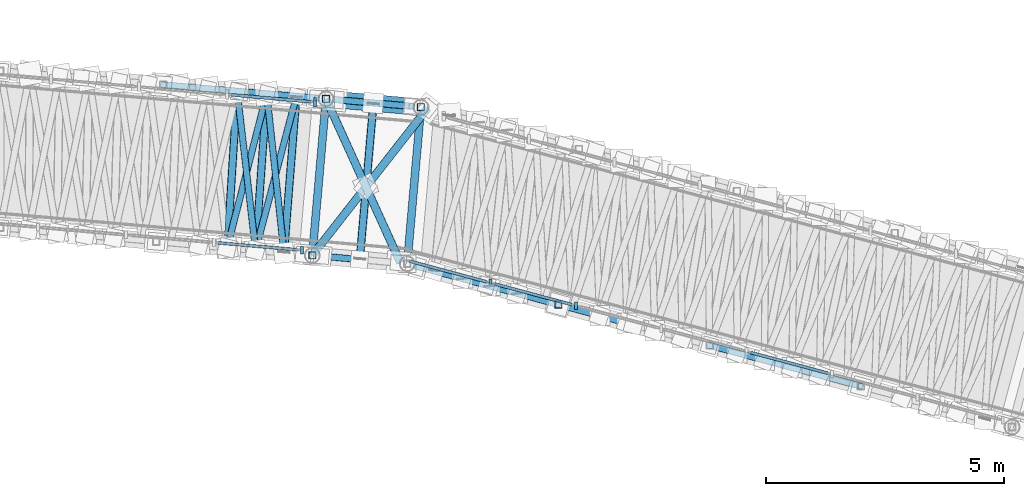
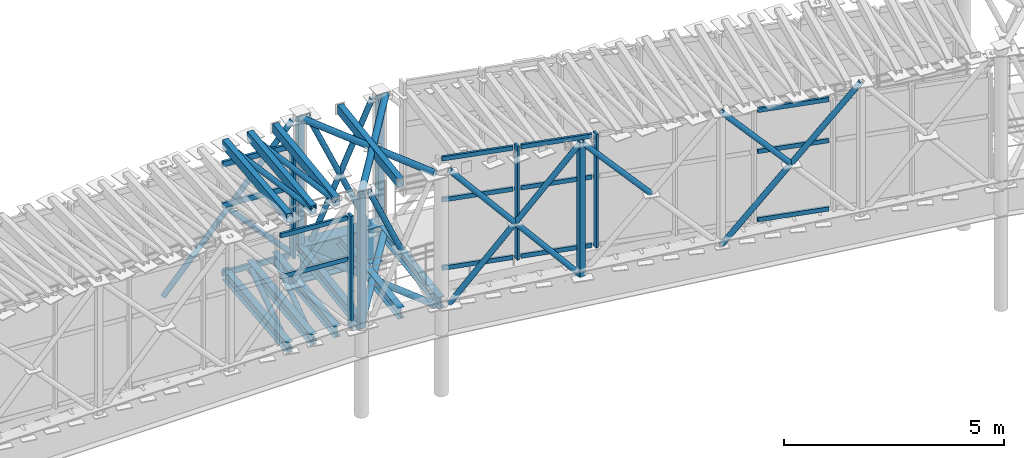
# One storey, part 57 of 144: 48 members, 7 beams, 3 elements without a shape of their own.
"""IFC4 building model written with IfcOpenShell, lengths in metres."""

from ifc_helpers import new_model, si_unit, direction, frame, origin, origin_2d, place, context, subcontext, project, spatial, rectangle, hollow_rectangle, hollow_circle, i_section, extrude, material, material_profile, profile_set, type_object, element, aggregate, save


model = new_model("IFC4")

# Units and contexts
model_context = context("Model", 3, precision=1e-05, world=origin(), true_north=direction((0.0, 1.0)))
body_context = subcontext(model_context, "Body", "Model", "MODEL_VIEW")
ifc_project = project(units=[si_unit("LENGTHUNIT", "METRE"), si_unit("AREAUNIT", "SQUARE_METRE"), si_unit("VOLUMEUNIT", "CUBIC_METRE"), si_unit("PLANEANGLEUNIT", "RADIAN"), si_unit("MASSUNIT", "GRAM", prefix="KILO")], contexts=[model_context])

# Site, building, storey
site_placement = place(None, origin())
site = spatial("IfcSite", under=ifc_project, at=site_placement, CompositionType="ELEMENT")
building_placement = place(site_placement, origin())
building = spatial("IfcBuilding", under=site, at=building_placement, Name="Cinderbank Siding Concert Hall", CompositionType="ELEMENT")
storey_placement = place(building_placement, frame((0.0, 0.0, 5.39990234375)))
storey = spatial("IfcBuildingStorey", under=building, at=storey_placement, Name="L02", CompositionType="ELEMENT", Elevation=5.39990234375)

# Beam
ifc_material_1 = material(Name="Structural steel welded plate section AS/NZS 3679.2 / AS/NZS 3678 Grade 350 (340 MPa)", Category="steel")
ifc_material_profile_1 = material_profile(ifc_material_1, i_section(OverallWidth=0.35009765625, OverallDepth=1.0, WebThickness=0.013916015625, FlangeThickness=0.02490234375, at=origin_2d()), Name="1000WB258", Category="LoadBearing")
ifc_profile_set_1 = profile_set([ifc_material_profile_1], Name="Structural steel welded plate section AS/NZS 3679.2 / AS/NZS 3678 Grade 350 (340 MPa)")
beam_type_1 = type_object("IfcBeamType", Name="BM-WB1000 1000WB258", PredefinedType="BEAM", material=ifc_profile_set_1)
beam_1_placement = place(storey_placement, frame((92.8701171875, 101.263916015625, 2.16015625), z_axis=(0.996217656469, -0.086892928017, 0.0), x_axis=(0.086892928017, 0.996217656469, 0.0)))
element("IfcBeam", 1, at=beam_1_placement, inside=storey, type_object=beam_type_1, Name="L02 Beam BM-WB1000 #1981", PredefinedType="BEAM", context=body_context, shape_type="SweptSolid", body=[
    extrude(i_section(OverallWidth=0.35009765625, OverallDepth=1.0, WebThickness=0.013916015625, FlangeThickness=0.02490234375, at=origin_2d()), origin(), (0.0, 0.0, 1.0), 2.00048828125),
])

# Members
ifc_material_2 = material(Name="Structural steel hollow section AS/NZS 1163 Grade C350L0 (350 MPa)", Category="steel")
ifc_material_profile_2 = material_profile(ifc_material_2, hollow_circle(Radius=0.06982421875, WallThickness=0.00634765625, at=origin_2d()), Name="139.7x6.4CHS", Category="LoadBearing")
ifc_profile_set_2 = profile_set([ifc_material_profile_2], Name="Structural steel hollow section AS/NZS 1163 Grade C350L0 (350 MPa)")
member_type_1 = type_object("IfcMemberType", Name="BR-CHS139 139.7x6.4CHS Roof Truss", PredefinedType="BRACE", material=ifc_profile_set_2)
member_1_placement = place(storey_placement, frame((89.450927734375, 101.556884765625, 2.190185546875), z_axis=(0.634316256267, -0.054326125811, 0.771162472563), x_axis=(0.085332783222, 0.996352505947, 0.0)))
element("IfcMember", 2, at=member_1_placement, inside=storey, type_object=member_type_1, Name="L02 Diagonal Brace BR-CHS139 #BRDL-BR-CHS139-L02-0249", PredefinedType="BRACE", context=body_context, shape_type="SweptSolid", body=[
    extrude(hollow_circle(Radius=0.06982421875, WallThickness=0.00634765625, at=origin_2d()), origin(), (0.0, 0.0, 1.0), 5.091796875),
])
member_2_placement = place(storey_placement, frame((91.075927734375, 101.417724609375, 4.142578125), z_axis=(0.679792345426, -0.05822654655, -0.731089622671), x_axis=(0.085340950407, 0.996351806434, 0.0)))
element("IfcMember", 3, at=member_2_placement, inside=storey, type_object=member_type_1, Name="L02 Diagonal Brace BR-CHS139 #BRDL-BR-CHS139-L02-0250-S28", PredefinedType="BRACE", context=body_context, shape_type="SweptSolid", body=[
    extrude(hollow_circle(Radius=0.06982421875, WallThickness=0.00634765625, at=origin_2d()), origin(), (0.0, 0.0, 1.0), 2.360595703125),
])
member_3_placement = place(storey_placement, frame((90.79638671875, 98.13671875, 2.3291015625), z_axis=(0.248668947176, 0.968500110053, 0.013087839325), x_axis=(-0.968583068647, 0.248690247355, 0.0)))
element("IfcMember", 4, at=member_3_placement, inside=storey, type_object=member_type_1, Name="L02 Diagonal Brace BR-CHS139 #BRST-BR-CHS139-L02-0319", PredefinedType="BRACE", context=body_context, shape_type="SweptSolid", body=[
    extrude(hollow_circle(Radius=0.06982421875, WallThickness=0.00634765625, at=origin_2d()), origin(), (0.0, 0.0, 1.0), 3.339111328125),
])
member_4_placement = place(storey_placement, frame((91.005126953125, 101.423828125, 5.96923828125), z_axis=(0.114994792437, -0.993282039217, 0.012922394605), x_axis=(0.993364982835, 0.115004395031, 0.0)))
element("IfcMember", 5, at=member_4_placement, inside=storey, type_object=member_type_1, Name="L02 Diagonal Brace BR-CHS139 #BRXR-BR-CHS139-L02-0320", PredefinedType="BRACE", context=body_context, shape_type="SweptSolid", body=[
    extrude(hollow_circle(Radius=0.06982421875, WallThickness=0.00634765625, at=origin_2d()), origin(), (0.0, 0.0, 1.0), 3.363037109375),
])
member_5_placement = place(storey_placement, frame((91.391845703125, 98.08349609375, 2.372802734375), z_axis=(0.255987058738, 0.966591955542, 0.013062053453), x_axis=(-0.966674424721, 0.256008899435, 0.0)))
element("IfcMember", 6, at=member_5_placement, inside=storey, type_object=member_type_1, Name="L02 Diagonal Brace BR-CHS139 #BRST-BR-CHS139-L02-0322", PredefinedType="BRACE", context=body_context, shape_type="SweptSolid", body=[
    extrude(hollow_circle(Radius=0.06982421875, WallThickness=0.00634765625, at=origin_2d()), origin(), (0.0, 0.0, 1.0), 3.345703125),
])
member_6_placement = place(storey_placement, frame((91.626708984375, 101.37060546875, 6.0126953125), z_axis=(0.10739122558, -0.994131764804, 0.013006109187), x_axis=(0.994215858579, 0.107400309822, 0.0)))
element("IfcMember", 7, at=member_6_placement, inside=storey, type_object=member_type_1, Name="L02 Diagonal Brace BR-CHS139 #BRXR-BR-CHS139-L02-0323", PredefinedType="BRACE", context=body_context, shape_type="SweptSolid", body=[
    extrude(hollow_circle(Radius=0.06982421875, WallThickness=0.00634765625, at=origin_2d()), origin(), (0.0, 0.0, 1.0), 3.360107421875),
])
member_7_placement = place(storey_placement, frame((93.059326171875, 101.24755859375, 2.43017578125), z_axis=(0.399644924095, -0.034935687557, 0.916004056967), x_axis=(0.08708471353, 0.996200909792, 0.0)))
element("IfcMember", 8, at=member_7_placement, inside=storey, type_object=member_type_1, Name="L02 Diagonal Brace BR-CHS139 #BRDL-BR-CHS139-L02-0329", PredefinedType="BRACE", context=body_context, shape_type="SweptSolid", body=[
    extrude(hollow_circle(Radius=0.06982421875, WallThickness=0.00634765625, at=origin_2d()), origin(), (0.0, 0.0, 1.0), 4.039306640625),
])
member_8_placement = place(storey_placement, frame((93.059326171875, 101.24755859375, 6.130126953125), z_axis=(0.399666642323, -0.03494952052, -0.91599405349), x_axis=(0.087114235321, 0.99619832865, 0.0)))
element("IfcMember", 9, at=member_8_placement, inside=storey, type_object=member_type_1, Name="L02 Diagonal Brace BR-CHS139 #BRDL-BR-CHS139-L02-0330", PredefinedType="BRACE", context=body_context, shape_type="SweptSolid", body=[
    extrude(hollow_circle(Radius=0.06982421875, WallThickness=0.00634765625, at=origin_2d()), origin(), (0.0, 0.0, 1.0), 2.0048828125),
])
for number, where, z_axis, x_axis, name in (
    (10, (93.87255859375, 101.176513671875, 4.266357421875), (0.399608889539, -0.034955120786, -0.916019036337), (0.087140584859, 0.996196024119, 0.0), "L02 Diagonal Brace BR-CHS139 #BRDL-BR-CHS139-L02-0330-S33"),
    (11, (92.772216796875, 97.96044921875, 6.130126953125), (0.399458552281, -0.035196195613, -0.916075375078), (0.087769722151, 0.99614079119, 0.0), "L02 Diagonal Brace BR-CHS139 #BRDR-BR-CHS139-L02-0333"),
):
    element("IfcMember", number, at=place(storey_placement, frame(where, z_axis=z_axis, x_axis=x_axis)), inside=storey, type_object=member_type_1, Name=name, PredefinedType="BRACE", context=body_context, shape_type="SweptSolid", body=[
        extrude(hollow_circle(Radius=0.06982421875, WallThickness=0.00634765625, at=origin_2d()), origin(), (0.0, 0.0, 1.0), 2.004638671875),
    ])
member_9_placement = place(storey_placement, frame((94.75830078125, 97.75244140625, 2.444091796875), z_axis=(0.598119618035, -0.16142835035, 0.78498013365), x_axis=(0.260569645103, 0.965455053356, 0.0)))
element("IfcMember", 12, at=member_9_placement, inside=storey, type_object=member_type_1, Name="L02 Diagonal Brace BR-CHS139 #BRDR-BR-CHS139-L02-0352", PredefinedType="BRACE", context=body_context, shape_type="SweptSolid", body=[
    extrude(hollow_circle(Radius=0.06982421875, WallThickness=0.00634765625, at=origin_2d()), origin(), (0.0, 0.0, 1.0), 5.00146484375),
])
member_10_placement = place(storey_placement, frame((94.75830078125, 97.75244140625, 6.14404296875), z_axis=(0.642620186251, -0.173455719732, -0.746292442354), x_axis=(0.260593414181, 0.965448637932, 0.0)))
element("IfcMember", 13, at=member_10_placement, inside=storey, type_object=member_type_1, Name="L02 Diagonal Brace BR-CHS139 #BRDR-BR-CHS139-L02-0353", PredefinedType="BRACE", context=body_context, shape_type="SweptSolid", body=[
    extrude(hollow_circle(Radius=0.06982421875, WallThickness=0.00634765625, at=origin_2d()), origin(), (0.0, 0.0, 1.0), 2.3125),
])
member_11_placement = place(storey_placement, frame((96.263671875, 97.34619140625, 4.395751953125), z_axis=(0.642670819416, -0.173469386611, -0.746245663156), x_axis=(0.260593414181, 0.965448637932, 0.0)))
element("IfcMember", 14, at=member_11_placement, inside=storey, type_object=member_type_1, Name="L02 Diagonal Brace BR-CHS139 #BRDR-BR-CHS139-L02-0353-S41", PredefinedType="BRACE", context=body_context, shape_type="SweptSolid", body=[
    extrude(hollow_circle(Radius=0.06982421875, WallThickness=0.00634765625, at=origin_2d()), origin(), (0.0, 0.0, 1.0), 2.312255859375),
])
member_12_placement = place(storey_placement, frame((97.749755859375, 96.945068359375, 6.3701171875), z_axis=(0.665073080511, -0.179521351557, -0.724879218846), x_axis=(0.260600393018, 0.965446754181, 0.0)))
element("IfcMember", 15, at=member_12_placement, inside=storey, type_object=member_type_1, Name="L02 Diagonal Brace BR-CHS139 #BRDR-BR-CHS139-L02-0356", PredefinedType="BRACE", context=body_context, shape_type="SweptSolid", body=[
    extrude(hollow_circle(Radius=0.06982421875, WallThickness=0.00634765625, at=origin_2d()), origin(), (0.0, 0.0, 1.0), 2.371826171875),
])
member_13_placement = place(storey_placement, frame((100.924560546875, 96.087890625, 2.91015625), z_axis=(0.61860640523, -0.166985194367, 0.767751301054), x_axis=(0.260609797492, 0.965444215608, 0.0)))
element("IfcMember", 16, at=member_13_placement, inside=storey, type_object=member_type_1, Name="L02 Diagonal Brace BR-CHS139 #BRDR-BR-CHS139-L02-0358", PredefinedType="BRACE", context=body_context, shape_type="SweptSolid", body=[
    extrude(hollow_circle(Radius=0.06982421875, WallThickness=0.00634765625, at=origin_2d()), origin(), (0.0, 0.0, 1.0), 5.1318359375),
])
member_14_placement = place(storey_placement, frame((100.924560546875, 96.087890625, 6.610107421875), z_axis=(0.665122708014, -0.179534747373, -0.724830364824), x_axis=(0.260600393018, 0.965446754181, 0.0)))
element("IfcMember", 17, at=member_14_placement, inside=storey, type_object=member_type_1, Name="L02 Diagonal Brace BR-CHS139 #BRDR-BR-CHS139-L02-0359", PredefinedType="BRACE", context=body_context, shape_type="SweptSolid", body=[
    extrude(hollow_circle(Radius=0.06982421875, WallThickness=0.00634765625, at=origin_2d()), origin(), (0.0, 0.0, 1.0), 2.37158203125),
])
ifc_material_profile_3 = material_profile(ifc_material_2, hollow_circle(Radius=0.084228515625, WallThickness=0.007080078125, at=origin_2d()), Name="168.3x7.1CHS", Category="LoadBearing")
ifc_profile_set_3 = profile_set([ifc_material_profile_3], Name="Structural steel hollow section AS/NZS 1163 Grade C350L0 (350 MPa)")
member_type_2 = type_object("IfcMemberType", Name="BR-CHS168 168.3x7.1CHS Roof Truss", PredefinedType="BRACE", material=ifc_profile_set_3)
member_15_placement = place(storey_placement, frame((92.582763671875, 97.976806640625, 2.47998046875), z_axis=(0.616509249373, 0.787347664909, 0.0), x_axis=(-0.787347664909, 0.616509249373, 0.0)))
element("IfcMember", 18, at=member_15_placement, inside=storey, type_object=member_type_2, Name="L02 Diagonal Brace BR-CHS168 #BRWB-BR-CHS168-L02-0335", PredefinedType="BRACE", context=body_context, shape_type="SweptSolid", body=[
    extrude(hollow_circle(Radius=0.084228515625, WallThickness=0.007080078125, at=origin_2d()), origin(), (0.0, 0.0, 1.0), 3.929931640625),
])
member_16_placement = place(storey_placement, frame((92.870361328125, 101.26416015625, 2.47998046875), z_axis=(0.413118252207, -0.910677390569, 0.0), x_axis=(0.910677390569, 0.413118252207, 0.0)))
element("IfcMember", 19, at=member_16_placement, inside=storey, type_object=member_type_2, Name="L02 Diagonal Brace BR-CHS168 #BRWB-BR-CHS168-L02-0336", PredefinedType="BRACE", context=body_context, shape_type="SweptSolid", body=[
    extrude(hollow_circle(Radius=0.084228515625, WallThickness=0.007080078125, at=origin_2d()), origin(), (0.0, 0.0, 1.0), 2.01513671875),
])
member_17_placement = place(storey_placement, frame((93.71533203125, 99.401611328125, 2.47998046875), z_axis=(0.413304736774, -0.91059277098, 0.0), x_axis=(0.91059277098, 0.413304736774, 0.0)))
element("IfcMember", 20, at=member_17_placement, inside=storey, type_object=member_type_2, Name="L02 Diagonal Brace BR-CHS168 #BRWB-BR-CHS168-L02-0336-S35", PredefinedType="BRACE", context=body_context, shape_type="SweptSolid", body=[
    extrude(hollow_circle(Radius=0.084228515625, WallThickness=0.007080078125, at=origin_2d()), origin(), (0.0, 0.0, 1.0), 1.735595703125),
])
member_18_placement = place(storey_placement, frame((92.870361328125, 101.26416015625, 6.130126953125), z_axis=(0.41321416557, -0.910633874492, 0.0), x_axis=(0.910633874492, 0.41321416557, 0.0)))
element("IfcMember", 21, at=member_18_placement, inside=storey, type_object=member_type_2, Name="L02 Diagonal Brace BR-CHS168 #BRWB-BR-CHS168-L02-0337", PredefinedType="BRACE", context=body_context, shape_type="SweptSolid", body=[
    extrude(hollow_circle(Radius=0.084228515625, WallThickness=0.007080078125, at=origin_2d()), origin(), (0.0, 0.0, 1.0), 3.78076171875),
])
member_19_placement = place(storey_placement, frame((92.582763671875, 97.976806640625, 6.130126953125), z_axis=(0.61651167443, 0.787345766034, 0.0), x_axis=(-0.787345766034, 0.61651167443, 0.0)))
element("IfcMember", 22, at=member_19_placement, inside=storey, type_object=member_type_2, Name="L02 Diagonal Brace BR-CHS168 #BRWB-BR-CHS168-L02-0338", PredefinedType="BRACE", context=body_context, shape_type="SweptSolid", body=[
    extrude(hollow_circle(Radius=0.084228515625, WallThickness=0.007080078125, at=origin_2d()), origin(), (0.0, 0.0, 1.0), 1.81201171875),
])
member_20_placement = place(storey_placement, frame((93.718505859375, 99.42724609375, 6.130126953125), z_axis=(0.616503735485, 0.787351982364, 0.0), x_axis=(-0.787351982364, 0.616503735485, 0.0)))
element("IfcMember", 23, at=member_20_placement, inside=storey, type_object=member_type_2, Name="L02 Diagonal Brace BR-CHS168 #BRWB-BR-CHS168-L02-0338-S36", PredefinedType="BRACE", context=body_context, shape_type="SweptSolid", body=[
    extrude(hollow_circle(Radius=0.084228515625, WallThickness=0.007080078125, at=origin_2d()), origin(), (0.0, 0.0, 1.0), 2.087646484375),
])
ifc_material_profile_4 = material_profile(ifc_material_2, hollow_rectangle(XDim=0.14990234375, YDim=0.14990234375, WallThickness=0.008056640625, at=origin_2d()), Name="150x150x8.0SHS", Category="LoadBearing")
ifc_profile_set_4 = profile_set([ifc_material_profile_4], Name="Structural steel hollow section AS/NZS 1163 Grade C350L0 (350 MPa)")
member_type_3 = type_object("IfcMemberType", Name="BR-SHS150 150x150x8.0SHS Roof Truss", PredefinedType="BRACE", material=ifc_profile_set_4)
for number, where, z_axis, x_axis, name in (
    (24, (92.8701171875, 101.263916015625, 2.43017578125), (0.0, 0.0, 1.0), (1.0, 0.0, 0.0), "L02 Diagonal Brace BR-SHS150 #BRVL-BR-SHS150-L02-0328"),
    (25, (92.5830078125, 97.97705078125, 2.43017578125), (0.0, 0.0, 1.0), (1.0, 0.0, 0.0), "L02 Diagonal Brace BR-SHS150 #BRVR-BR-SHS150-L02-0331"),
    (26, (94.863037109375, 101.090087890625, 2.43017578125), (0.0, 0.0, 1.0), (1.0, 0.0, 0.0), "L02 Diagonal Brace BR-SHS150 #BRVL-BR-SHS150-L02-0339"),
    (27, (97.749755859375, 96.945068359375, 2.670166015625), (0.0, 0.0, 1.0), (1.0, 0.0, 0.0), "L02 Diagonal Brace BR-SHS150 #BRVR-BR-SHS150-L02-0354"),
):
    element("IfcMember", number, at=place(storey_placement, frame(where, z_axis=z_axis, x_axis=x_axis)), inside=storey, type_object=member_type_3, Name=name, PredefinedType="BRACE", context=body_context, shape_type="SweptSolid", body=[
        extrude(hollow_rectangle(XDim=0.14990234375, YDim=0.14990234375, WallThickness=0.008056640625, at=origin_2d()), origin(), (0.0, 0.0, 1.0), 3.699951171875),
    ])

# Curtain wall, member
ifc_material_3 = material(Name="Anodised aluminium alloy 6063-T6", Category="aluminium")
curtain_wall_type = type_object("IfcCurtainWallType", Name="CW-15 Unitised Acoustic Curtain Wall 12800x3200", PredefinedType="NOTDEFINED", material=ifc_material_3)
curtain_wall_1_placement = place(storey_placement, origin())
curtain_wall_1 = element("IfcCurtainWall", 28, at=curtain_wall_1_placement, inside=storey, type_object=curtain_wall_type, Name="L02 Curtain Wall CW-15 #158", PredefinedType="NOTDEFINED")
ifc_material_profile_5 = material_profile(ifc_material_3, rectangle(XDim=0.06005859375, YDim=0.159912109375, at=origin_2d()), Name="ALU-MULL-60x160", Category="LoadBearing")
ifc_profile_set_5 = profile_set([ifc_material_profile_5], Name="Anodised aluminium alloy 6063-T6")
member_type_4 = type_object("IfcMemberType", Name="CW-ML1 Mullion 60x160", PredefinedType="MULLION", material=ifc_profile_set_5)
member_21_placement = place(storey_placement, frame((92.364501953125, 98.086181640625, 2.400146484375), z_axis=(0.0, 0.0, 1.0), x_axis=(1.0, 0.0, 0.0)))
member_21 = element("IfcMember", 29, at=member_21_placement, type_object=member_type_4, Name="CW-L02-158 Mullion 7", PredefinedType="MULLION", context=body_context, shape_type="SweptSolid", body=[
    extrude(rectangle(XDim=0.06005859375, YDim=0.159912109375, at=origin_2d()), origin(), (0.0, 0.0, 1.0), 3.14990234375),
])

# Curtain wall, members
curtain_wall_2_placement = place(storey_placement, origin())
curtain_wall_2 = element("IfcCurtainWall", 30, at=curtain_wall_2_placement, inside=storey, type_object=curtain_wall_type, Name="L02 Curtain Wall CW-15 #160", PredefinedType="NOTDEFINED")
member_22_placement = place(storey_placement, frame((96.326416015625, 97.400390625, 3.360107421875), z_axis=(0.0, 0.0, 1.0), x_axis=(1.0, 0.0, 0.0)))
member_22 = element("IfcMember", 31, at=member_22_placement, type_object=member_type_4, Name="CW-L02-160 Mullion 1", PredefinedType="MULLION", context=body_context, shape_type="SweptSolid", body=[
    extrude(rectangle(XDim=0.06005859375, YDim=0.159912109375, at=origin_2d()), origin(), (0.0, 0.0, 1.0), 3.14990234375),
])
member_23_placement = place(storey_placement, frame((98.118408203125, 96.920166015625, 3.360107421875), z_axis=(0.0, 0.0, 1.0), x_axis=(1.0, 0.0, 0.0)))
member_23 = element("IfcMember", 32, at=member_23_placement, type_object=member_type_4, Name="CW-L02-160 Mullion 2", PredefinedType="MULLION", context=body_context, shape_type="SweptSolid", body=[
    extrude(rectangle(XDim=0.06005859375, YDim=0.159912109375, at=origin_2d()), origin(), (0.0, 0.0, 1.0), 3.14990234375),
])

# Curtain wall, member
curtain_wall_3_placement = place(storey_placement, origin())
curtain_wall_3 = element("IfcCurtainWall", 33, at=curtain_wall_3_placement, inside=storey, type_object=curtain_wall_type, Name="L02 Curtain Wall CW-15 #157", PredefinedType="NOTDEFINED")
ifc_material_profile_6 = material_profile(ifc_material_3, rectangle(XDim=0.06494140625, YDim=0.199951171875, at=origin_2d()), Name="ALU-MULL-65x200", Category="LoadBearing")
ifc_profile_set_6 = profile_set([ifc_material_profile_6], Name="Anodised aluminium alloy 6063-T6")
member_type_5 = type_object("IfcMemberType", Name="CW-ML2 Mullion 65x200", PredefinedType="MULLION", material=ifc_profile_set_6)
member_24_placement = place(storey_placement, frame((92.636474609375, 101.194091796875, 2.400146484375), z_axis=(0.0, 0.0, 1.0), x_axis=(1.0, 0.0, 0.0)))
member_24 = element("IfcMember", 34, at=member_24_placement, type_object=member_type_5, Name="CW-L02-157 Mullion 7", PredefinedType="MULLION", context=body_context, shape_type="SweptSolid", body=[
    extrude(rectangle(XDim=0.06494140625, YDim=0.199951171875, at=origin_2d()), origin(), (0.0, 0.0, 1.0), 3.14990234375),
])

# Member
ifc_material_profile_7 = material_profile(ifc_material_3, rectangle(XDim=0.06005859375, YDim=0.1201171875, at=origin_2d()), Name="ALU-TRAN-60x120", Category="LoadBearing")
ifc_profile_set_7 = profile_set([ifc_material_profile_7], Name="Anodised aluminium alloy 6063-T6")
member_type_6 = type_object("IfcMemberType", Name="CW-TR1 Transom 60x120", PredefinedType="USERDEFINED", material=ifc_profile_set_7)
member_25_placement = place(storey_placement, frame((90.60888671875, 98.23974609375, 4.35302734375), z_axis=(0.996195463137, -0.087146997803, 0.0), x_axis=(0.087146997803, 0.996195463137, 0.0)))
member_25 = element("IfcMember", 35, at=member_25_placement, type_object=member_type_6, Name="CW-L02-158 Transom 6-1", ObjectType="TRANSOM", PredefinedType="USERDEFINED", context=body_context, shape_type="SweptSolid", body=[
    extrude(rectangle(XDim=0.06005859375, YDim=0.1201171875, at=origin_2d()), origin(), (0.0, 0.0, 1.0), 1.669677734375),
])

member_26_placement = place(storey_placement, frame((90.60888671875, 98.23974609375, 5.489990234375), z_axis=(0.996195463137, -0.087146997803, 0.0), x_axis=(0.087146997803, 0.996195463137, 0.0)))
member_26 = element("IfcMember", 36, at=member_26_placement, type_object=member_type_6, Name="CW-L02-158 Transom 6-2", ObjectType="TRANSOM", PredefinedType="USERDEFINED", context=body_context, shape_type="SweptSolid", body=[
    extrude(rectangle(XDim=0.06005859375, YDim=0.1201171875, at=origin_2d()), origin(), (0.0, 0.0, 1.0), 1.669677734375),
])

aggregate(curtain_wall_1, [member_21, member_25, member_26])

member_27_placement = place(storey_placement, frame((94.6240234375, 97.8564453125, 3.420166015625), z_axis=(0.965928471546, -0.258809172667, 0.0), x_axis=(0.258809172667, 0.965928471546, 0.0)))
member_27 = element("IfcMember", 37, at=member_27_placement, type_object=member_type_6, Name="CW-L02-160 Transom 0-0", ObjectType="TRANSOM", PredefinedType="USERDEFINED", context=body_context, shape_type="SweptSolid", body=[
    extrude(rectangle(XDim=0.06005859375, YDim=0.1201171875, at=origin_2d()), origin(), (0.0, 0.0, 1.0), 1.669677734375),
])

member_28_placement = place(storey_placement, frame((94.6240234375, 97.8564453125, 5.31298828125), z_axis=(0.965928471546, -0.258809172667, 0.0), x_axis=(0.258809172667, 0.965928471546, 0.0)))
member_28 = element("IfcMember", 38, at=member_28_placement, type_object=member_type_6, Name="CW-L02-160 Transom 0-1", ObjectType="TRANSOM", PredefinedType="USERDEFINED", context=body_context, shape_type="SweptSolid", body=[
    extrude(rectangle(XDim=0.06005859375, YDim=0.1201171875, at=origin_2d()), origin(), (0.0, 0.0, 1.0), 1.669677734375),
])

member_29_placement = place(storey_placement, frame((94.6240234375, 97.8564453125, 6.4501953125), z_axis=(0.965928471546, -0.258809172667, 0.0), x_axis=(0.258809172667, 0.965928471546, 0.0)))
member_29 = element("IfcMember", 39, at=member_29_placement, type_object=member_type_6, Name="CW-L02-160 Transom 0-2", ObjectType="TRANSOM", PredefinedType="USERDEFINED", context=body_context, shape_type="SweptSolid", body=[
    extrude(rectangle(XDim=0.06005859375, YDim=0.1201171875, at=origin_2d()), origin(), (0.0, 0.0, 1.0), 1.669677734375),
])

member_30_placement = place(storey_placement, frame((96.416015625, 97.37646484375, 3.420166015625), z_axis=(0.965891909623, -0.258945590666, 0.0), x_axis=(0.258945590666, 0.965891909623, 0.0)))
member_30 = element("IfcMember", 40, at=member_30_placement, type_object=member_type_6, Name="CW-L02-160 Transom 1-0", ObjectType="TRANSOM", PredefinedType="USERDEFINED", context=body_context, shape_type="SweptSolid", body=[
    extrude(rectangle(XDim=0.06005859375, YDim=0.1201171875, at=origin_2d()), origin(), (0.0, 0.0, 1.0), 1.669677734375),
])

member_31_placement = place(storey_placement, frame((96.416015625, 97.37646484375, 5.31298828125), z_axis=(0.965891909623, -0.258945590666, 0.0), x_axis=(0.258945590666, 0.965891909623, 0.0)))
member_31 = element("IfcMember", 41, at=member_31_placement, type_object=member_type_6, Name="CW-L02-160 Transom 1-1", ObjectType="TRANSOM", PredefinedType="USERDEFINED", context=body_context, shape_type="SweptSolid", body=[
    extrude(rectangle(XDim=0.06005859375, YDim=0.1201171875, at=origin_2d()), origin(), (0.0, 0.0, 1.0), 1.669677734375),
])

member_32_placement = place(storey_placement, frame((96.416015625, 97.37646484375, 6.4501953125), z_axis=(0.965891909623, -0.258945590666, 0.0), x_axis=(0.258945590666, 0.965891909623, 0.0)))
member_32 = element("IfcMember", 42, at=member_32_placement, type_object=member_type_6, Name="CW-L02-160 Transom 1-2", ObjectType="TRANSOM", PredefinedType="USERDEFINED", context=body_context, shape_type="SweptSolid", body=[
    extrude(rectangle(XDim=0.06005859375, YDim=0.1201171875, at=origin_2d()), origin(), (0.0, 0.0, 1.0), 1.669677734375),
])

member_33_placement = place(storey_placement, frame((101.791748046875, 95.935791015625, 3.420166015625), z_axis=(0.965965016968, -0.258672739179, 0.0), x_axis=(0.258672739179, 0.965965016968, 0.0)))
member_33 = element("IfcMember", 43, at=member_33_placement, type_object=member_type_6, Name="CW-L02-160 Transom 4-0", ObjectType="TRANSOM", PredefinedType="USERDEFINED", context=body_context, shape_type="SweptSolid", body=[
    extrude(rectangle(XDim=0.06005859375, YDim=0.1201171875, at=origin_2d()), origin(), (0.0, 0.0, 1.0), 1.669677734375),
])

member_34_placement = place(storey_placement, frame((101.791748046875, 95.935791015625, 5.31298828125), z_axis=(0.965965016968, -0.258672739179, 0.0), x_axis=(0.258672739179, 0.965965016968, 0.0)))
member_34 = element("IfcMember", 44, at=member_34_placement, type_object=member_type_6, Name="CW-L02-160 Transom 4-1", ObjectType="TRANSOM", PredefinedType="USERDEFINED", context=body_context, shape_type="SweptSolid", body=[
    extrude(rectangle(XDim=0.06005859375, YDim=0.1201171875, at=origin_2d()), origin(), (0.0, 0.0, 1.0), 1.669677734375),
])

member_35_placement = place(storey_placement, frame((101.791748046875, 95.935791015625, 6.4501953125), z_axis=(0.965965016968, -0.258672739179, 0.0), x_axis=(0.258672739179, 0.965965016968, 0.0)))
member_35 = element("IfcMember", 45, at=member_35_placement, type_object=member_type_6, Name="CW-L02-160 Transom 4-2", ObjectType="TRANSOM", PredefinedType="USERDEFINED", context=body_context, shape_type="SweptSolid", body=[
    extrude(rectangle(XDim=0.06005859375, YDim=0.1201171875, at=origin_2d()), origin(), (0.0, 0.0, 1.0), 1.669677734375),
])

aggregate(curtain_wall_2, [member_22, member_23, member_27, member_28, member_29, member_30, member_31, member_32, member_33, member_34, member_35])

ifc_material_profile_8 = material_profile(ifc_material_3, rectangle(XDim=0.06494140625, YDim=0.14990234375, at=origin_2d()), Name="ALU-TRAN-65x150", Category="LoadBearing")
ifc_profile_set_8 = profile_set([ifc_material_profile_8], Name="Anodised aluminium alloy 6063-T6")
member_type_7 = type_object("IfcMemberType", Name="CW-TR2 Transom 65x150", PredefinedType="USERDEFINED", material=ifc_profile_set_8)
member_36_placement = place(storey_placement, frame((90.880859375, 101.347900390625, 2.460205078125), z_axis=(0.996195463137, -0.087146997803, 0.0), x_axis=(0.087146997803, 0.996195463137, 0.0)))
member_36 = element("IfcMember", 46, at=member_36_placement, type_object=member_type_7, Name="CW-L02-157 Transom 6-0", ObjectType="TRANSOM", PredefinedType="USERDEFINED", context=body_context, shape_type="SweptSolid", body=[
    extrude(rectangle(XDim=0.06494140625, YDim=0.14990234375, at=origin_2d()), origin(), (0.0, 0.0, 1.0), 1.669677734375),
])

member_37_placement = place(storey_placement, frame((90.880859375, 101.347900390625, 4.35302734375), z_axis=(0.996195463137, -0.087146997803, 0.0), x_axis=(0.087146997803, 0.996195463137, 0.0)))
member_37 = element("IfcMember", 47, at=member_37_placement, type_object=member_type_7, Name="CW-L02-157 Transom 6-1", ObjectType="TRANSOM", PredefinedType="USERDEFINED", context=body_context, shape_type="SweptSolid", body=[
    extrude(rectangle(XDim=0.06494140625, YDim=0.14990234375, at=origin_2d()), origin(), (0.0, 0.0, 1.0), 1.669677734375),
])

member_38_placement = place(storey_placement, frame((90.880859375, 101.347900390625, 5.489990234375), z_axis=(0.996195463137, -0.087146997803, 0.0), x_axis=(0.087146997803, 0.996195463137, 0.0)))
member_38 = element("IfcMember", 48, at=member_38_placement, type_object=member_type_7, Name="CW-L02-157 Transom 6-2", ObjectType="TRANSOM", PredefinedType="USERDEFINED", context=body_context, shape_type="SweptSolid", body=[
    extrude(rectangle(XDim=0.06494140625, YDim=0.14990234375, at=origin_2d()), origin(), (0.0, 0.0, 1.0), 1.669677734375),
])

aggregate(curtain_wall_3, [member_24, member_36, member_37, member_38])

# Beams
ifc_material_4 = material(Name="Structural steel AS/NZS 3679.1 Grade 350 (340 MPa)", Category="steel")
ifc_material_profile_9 = material_profile(ifc_material_4, i_section(OverallWidth=0.1650390625, OverallDepth=0.303955078125, WebThickness=0.006103515625, FlangeThickness=0.01025390625, at=origin_2d()), Name="310UB40.4", Category="LoadBearing")
ifc_profile_set_9 = profile_set([ifc_material_profile_9], Name="Structural steel AS/NZS 3679.1 Grade 350 (340 MPa)")
beam_type_2 = type_object("IfcBeamType", Name="JS-UB310 310UB40.4", PredefinedType="JOIST", material=ifc_profile_set_9)
beam_2_placement = place(storey_placement, frame((90.79638671875, 98.13671875, 2.377197265625), z_axis=(0.06337501964, 0.997989782957, 0.0), x_axis=(-0.997989782957, 0.06337501964, 0.0)))
element("IfcBeam", 49, at=beam_2_placement, inside=storey, type_object=beam_type_2, Name="L02 Beam JS-UB310 #1977", PredefinedType="JOIST", context=body_context, shape_type="SweptSolid", body=[
    extrude(i_section(OverallWidth=0.1650390625, OverallDepth=0.303955078125, WebThickness=0.006103515625, FlangeThickness=0.01025390625, at=origin_2d()), origin(), (0.0, 0.0, 1.0), 3.293701171875),
])
beam_3_placement = place(storey_placement, frame((91.391845703125, 98.08349609375, 2.4208984375), z_axis=(0.071268109177, 0.99745719538, 0.0), x_axis=(-0.99745719538, 0.071268109177, 0.0)))
element("IfcBeam", 50, at=beam_3_placement, inside=storey, type_object=beam_type_2, Name="L02 Beam JS-UB310 #1978", PredefinedType="JOIST", context=body_context, shape_type="SweptSolid", body=[
    extrude(i_section(OverallWidth=0.1650390625, OverallDepth=0.303955078125, WebThickness=0.006103515625, FlangeThickness=0.01025390625, at=origin_2d()), origin(), (0.0, 0.0, 1.0), 3.29541015625),
])
beam_4_placement = place(storey_placement, frame((91.987548828125, 98.0302734375, 2.464599609375), z_axis=(0.079074257428, 0.996868728475, 0.0), x_axis=(-0.996868728475, 0.079074257428, 0.0)))
element("IfcBeam", 51, at=beam_4_placement, inside=storey, type_object=beam_type_2, Name="L02 Beam JS-UB310 #1979", PredefinedType="JOIST", context=body_context, shape_type="SweptSolid", body=[
    extrude(i_section(OverallWidth=0.1650390625, OverallDepth=0.303955078125, WebThickness=0.006103515625, FlangeThickness=0.01025390625, at=origin_2d()), origin(), (0.0, 0.0, 1.0), 3.29736328125),
])
beam_5_placement = place(storey_placement, frame((92.5830078125, 97.97705078125, 2.508056640625), z_axis=(0.087019164078, 0.996206637743, 0.0), x_axis=(-0.996206637743, 0.087019164078, 0.0)))
element("IfcBeam", 52, at=beam_5_placement, inside=storey, type_object=beam_type_2, Name="L02 Beam JS-UB310 #1980", PredefinedType="JOIST", context=body_context, shape_type="SweptSolid", body=[
    extrude(i_section(OverallWidth=0.1650390625, OverallDepth=0.303955078125, WebThickness=0.006103515625, FlangeThickness=0.01025390625, at=origin_2d()), origin(), (0.0, 0.0, 1.0), 3.29931640625),
])
beam_6_placement = place(storey_placement, frame((93.5791015625, 97.889404296875, 2.508056640625), z_axis=(0.087073343281, 0.996201903677, 0.0), x_axis=(-0.996201903677, 0.087073343281, 0.0)))
element("IfcBeam", 53, at=beam_6_placement, inside=storey, type_object=beam_type_2, Name="L02 Beam JS-UB310 #1983", PredefinedType="JOIST", context=body_context, shape_type="SweptSolid", body=[
    extrude(i_section(OverallWidth=0.1650390625, OverallDepth=0.303955078125, WebThickness=0.006103515625, FlangeThickness=0.01025390625, at=origin_2d()), origin(), (0.0, 0.0, 1.0), 3.300048828125),
])
beam_7_placement = place(storey_placement, frame((94.574951171875, 97.802001953125, 2.508056640625), z_axis=(0.087280727018, 0.996183755485, 0.0), x_axis=(-0.996183755485, 0.087280727018, 0.0)))
element("IfcBeam", 54, at=beam_7_placement, inside=storey, type_object=beam_type_2, Name="L02 Beam JS-UB310 #1984", PredefinedType="JOIST", context=body_context, shape_type="SweptSolid", body=[
    extrude(i_section(OverallWidth=0.1650390625, OverallDepth=0.303955078125, WebThickness=0.006103515625, FlangeThickness=0.01025390625, at=origin_2d()), origin(), (0.0, 0.0, 1.0), 3.30078125),
])

# Members
ifc_material_profile_10 = material_profile(ifc_material_2, hollow_rectangle(XDim=0.14990234375, YDim=0.25, WallThickness=0.009033203125, at=origin_2d()), Name="250x150x9.0RHS", Category="LoadBearing")
ifc_profile_set_10 = profile_set([ifc_material_profile_10], Name="Structural steel hollow section AS/NZS 1163 Grade C350L0 (350 MPa)")
member_type_8 = type_object("IfcMemberType", Name="PR-RHS250 250x150x9.0RHS Roof Truss", PredefinedType="PURLIN", material=ifc_profile_set_10)
member_39_placement = place(storey_placement, frame((90.79638671875, 98.13671875, 5.96923828125), z_axis=(0.06337501964, 0.997989782957, 0.0), x_axis=(-0.997989782957, 0.06337501964, 0.0)))
element("IfcMember", 55, at=member_39_placement, inside=storey, type_object=member_type_8, Name="L02 Roof Truss Member PR-RHS250 #315", PredefinedType="PURLIN", context=body_context, shape_type="SweptSolid", body=[
    extrude(hollow_rectangle(XDim=0.14990234375, YDim=0.25, WallThickness=0.009033203125, at=origin_2d()), origin(), (0.0, 0.0, 1.0), 3.293701171875),
])
member_40_placement = place(storey_placement, frame((91.391845703125, 98.08349609375, 6.0126953125), z_axis=(0.071268109177, 0.99745719538, 0.0), x_axis=(-0.99745719538, 0.071268109177, 0.0)))
element("IfcMember", 56, at=member_40_placement, inside=storey, type_object=member_type_8, Name="L02 Roof Truss Member PR-RHS250 #318", PredefinedType="PURLIN", context=body_context, shape_type="SweptSolid", body=[
    extrude(hollow_rectangle(XDim=0.14990234375, YDim=0.25, WallThickness=0.009033203125, at=origin_2d()), origin(), (0.0, 0.0, 1.0), 3.29541015625),
])
member_41_placement = place(storey_placement, frame((91.989501953125, 98.05517578125, 6.056396484375), z_axis=(0.079087840781, 0.996867650915, 0.0), x_axis=(-0.996867650915, 0.079087840781, 0.0)))
element("IfcMember", 57, at=member_41_placement, inside=storey, type_object=member_type_8, Name="L02 Roof Truss Member PR-RHS250 #321", PredefinedType="PURLIN", context=body_context, shape_type="SweptSolid", body=[
    extrude(hollow_rectangle(XDim=0.14990234375, YDim=0.25, WallThickness=0.009033203125, at=origin_2d()), origin(), (0.0, 0.0, 1.0), 3.24755859375),
])
member_42_placement = place(storey_placement, frame((93.581298828125, 97.914306640625, 6.10009765625), z_axis=(0.087060721227, 0.996203006831, 0.0), x_axis=(-0.996203006831, 0.087060721227, 0.0)))
element("IfcMember", 58, at=member_42_placement, inside=storey, type_object=member_type_8, Name="L02 Roof Truss Member PR-RHS250 #334", PredefinedType="PURLIN", context=body_context, shape_type="SweptSolid", body=[
    extrude(hollow_rectangle(XDim=0.14990234375, YDim=0.25, WallThickness=0.009033203125, at=origin_2d()), origin(), (0.0, 0.0, 1.0), 3.250244140625),
])

save(model, "model.ifc")
